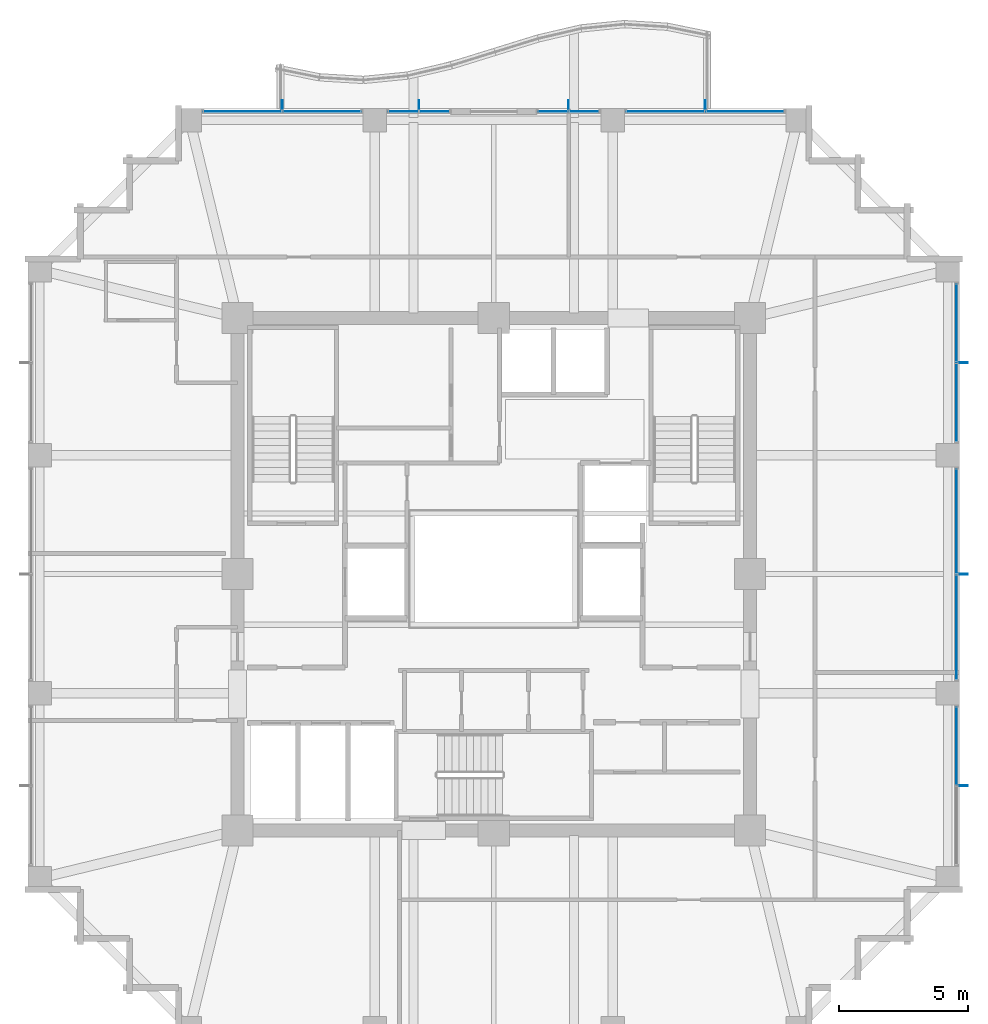
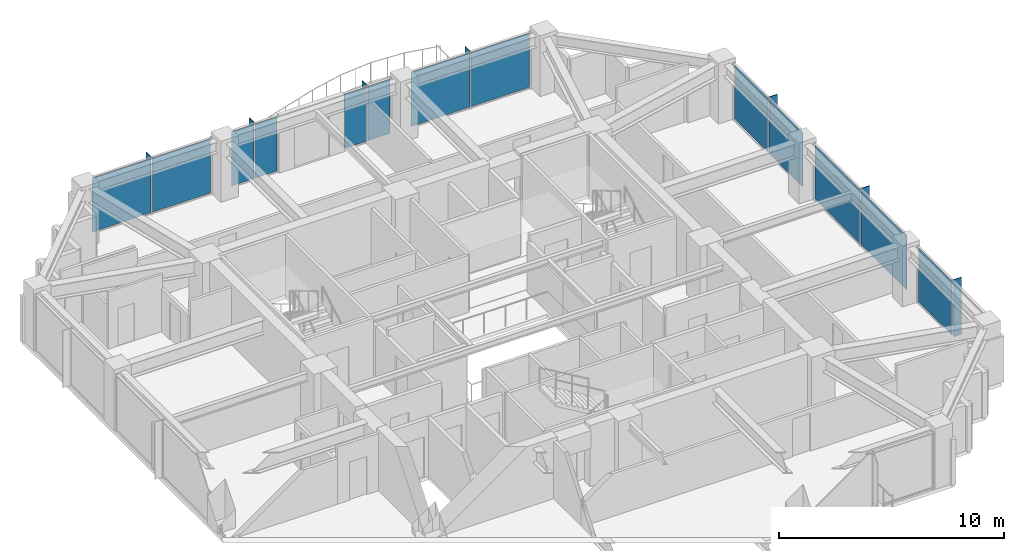
# One storey, part 25 of 31: 20 plates, 7 elements without a shape of their own.
"""IFC4 building model written with IfcOpenShell, lengths in metres."""

from ifc_helpers import new_model, si_unit, direction, frame, origin, origin_2d, place, context, subcontext, project, spatial, rectangle, extrude, material, layer, layer_set, type_object, element, aggregate, save


model = new_model("IFC4")

# Units and contexts
model_context = context("Model", 3, precision=1e-05, world=origin(), true_north=direction((0.0, 1.0)))
body_context = subcontext(model_context, "Body", "Model", "MODEL_VIEW")
ifc_project = project(units=[si_unit("LENGTHUNIT", "METRE"), si_unit("AREAUNIT", "SQUARE_METRE"), si_unit("VOLUMEUNIT", "CUBIC_METRE"), si_unit("PLANEANGLEUNIT", "RADIAN"), si_unit("MASSUNIT", "GRAM", prefix="KILO")], contexts=[model_context])

# Site, building, storey
site_placement = place(None, origin())
site = spatial("IfcSite", under=ifc_project, at=site_placement, CompositionType="ELEMENT")
building_placement = place(site_placement, origin())
building = spatial("IfcBuilding", under=site, at=building_placement, Name="Kolvaren Belvedere", CompositionType="ELEMENT")
storey_placement = place(building_placement, frame((0.0, 0.0, 138.199951171875)))
storey = spatial("IfcBuildingStorey", under=building, at=storey_placement, Name="L40", CompositionType="ELEMENT", Elevation=138.199951171875)

# Curtain wall, plates
ifc_material_1 = material(Name="Anodised pale-metal aluminium AA 6063-T6", Category="aluminium")
curtain_wall_type = type_object("IfcCurtainWallType", Name="CW-Z3-WAIST", PredefinedType="NOTDEFINED", material=ifc_material_1)
curtain_wall_1_placement = place(storey_placement, origin())
curtain_wall_1 = element("IfcCurtainWall", 1, at=curtain_wall_1_placement, inside=storey, type_object=curtain_wall_type, Name="L40 Unitised Curtain Wall FCW-L40-E-B1", PredefinedType="NOTDEFINED")
ifc_material_2 = material(Name="Low-iron triple insulated glass", Category="glass")
ifc_layer_1 = layer(ifc_material_2, 0.028076171875)
ifc_layer_set_1 = layer_set([ifc_layer_1], Name="Low-iron triple insulated glass")
plate_type_1 = type_object("IfcPlateType", Name="CW-PNL-VIS28", PredefinedType="CURTAIN_PANEL", material=ifc_layer_set_1)
plate_1_placement = place(storey_placement, frame((17.8798828125, 9.711181640625, 0.080078125), z_axis=(0.0, 0.0, 1.0), x_axis=(0.0, -1.0, 0.0)))
plate_1 = element("IfcPlate", 2, at=plate_1_placement, type_object=plate_type_1, Name="FCW-L40-E-B1 Vision Glazing Panel 1", PredefinedType="CURTAIN_PANEL", context=body_context, shape_type="SweptSolid", body=[
    extrude(rectangle(XDim=2.992431640625, YDim=0.028076171875, at=origin_2d()), origin(), (0.0, 0.0, 1.0), 2.93994140625),
])
plate_2_placement = place(storey_placement, frame((17.8798828125, 6.638671875, 0.080078125), z_axis=(0.0, 0.0, 1.0), x_axis=(0.0, -1.0, 0.0)))
plate_2 = element("IfcPlate", 3, at=plate_2_placement, type_object=plate_type_1, Name="FCW-L40-E-B1 Vision Glazing Panel 2", PredefinedType="CURTAIN_PANEL", context=body_context, shape_type="SweptSolid", body=[
    extrude(rectangle(XDim=2.992431640625, YDim=0.028076171875, at=origin_2d()), origin(), (0.0, 0.0, 1.0), 2.93994140625),
])
aggregate(curtain_wall_1, [plate_1, plate_2])

curtain_wall_2_placement = place(storey_placement, origin())
curtain_wall_2 = element("IfcCurtainWall", 4, at=curtain_wall_2_placement, inside=storey, type_object=curtain_wall_type, Name="L40 Unitised Curtain Wall FCW-L40-E-B2", PredefinedType="NOTDEFINED")
plate_3_placement = place(storey_placement, frame((17.8798828125, 2.048828125, 0.080078125), z_axis=(0.0, 0.0, 1.0), x_axis=(0.0, -1.0, 0.0)))
plate_3 = element("IfcPlate", 5, at=plate_3_placement, type_object=plate_type_1, Name="FCW-L40-E-B2 Vision Glazing Panel 1", PredefinedType="CURTAIN_PANEL", context=body_context, shape_type="SweptSolid", body=[
    extrude(rectangle(XDim=4.017578125, YDim=0.028076171875, at=origin_2d()), origin(), (0.0, 0.0, 1.0), 2.93994140625),
])
plate_4_placement = place(storey_placement, frame((17.8798828125, -2.048828125, 0.080078125), z_axis=(0.0, 0.0, 1.0), x_axis=(0.0, -1.0, 0.0)))
plate_4 = element("IfcPlate", 6, at=plate_4_placement, type_object=plate_type_1, Name="FCW-L40-E-B2 Vision Glazing Panel 2", PredefinedType="CURTAIN_PANEL", context=body_context, shape_type="SweptSolid", body=[
    extrude(rectangle(XDim=4.017578125, YDim=0.028076171875, at=origin_2d()), origin(), (0.0, 0.0, 1.0), 2.93994140625),
])
aggregate(curtain_wall_2, [plate_3, plate_4])

# Curtain wall, plate
curtain_wall_3_placement = place(storey_placement, origin())
curtain_wall_3 = element("IfcCurtainWall", 7, at=curtain_wall_3_placement, inside=storey, type_object=curtain_wall_type, Name="L40 Unitised Curtain Wall FCW-L40-E-B3", PredefinedType="NOTDEFINED")
plate_5_placement = place(storey_placement, frame((17.8798828125, -6.638671875, 0.080078125), z_axis=(0.0, 0.0, 1.0), x_axis=(0.0, -1.0, 0.0)))
plate_5 = element("IfcPlate", 8, at=plate_5_placement, type_object=plate_type_1, Name="FCW-L40-E-B3 Vision Glazing Panel 1", PredefinedType="CURTAIN_PANEL", context=body_context, shape_type="SweptSolid", body=[
    extrude(rectangle(XDim=2.992431640625, YDim=0.028076171875, at=origin_2d()), origin(), (0.0, 0.0, 1.0), 2.93994140625),
])
aggregate(curtain_wall_3, [plate_5])

# Curtain wall, plates
curtain_wall_4_placement = place(storey_placement, origin())
curtain_wall_4 = element("IfcCurtainWall", 9, at=curtain_wall_4_placement, inside=storey, type_object=curtain_wall_type, Name="L40 Unitised Curtain Wall FCW-L40-N1-B1", PredefinedType="NOTDEFINED")
plate_6_placement = place(storey_placement, frame((-9.711181640625, 17.8798828125, 0.080078125), z_axis=(0.0, 0.0, 1.0), x_axis=(1.0, 0.0, 0.0)))
plate_6 = element("IfcPlate", 10, at=plate_6_placement, type_object=plate_type_1, Name="FCW-L40-N1-B1 Vision Glazing Panel 1", PredefinedType="CURTAIN_PANEL", context=body_context, shape_type="SweptSolid", body=[
    extrude(rectangle(XDim=2.992431640625, YDim=0.028076171875, at=origin_2d()), origin(), (0.0, 0.0, 1.0), 2.93994140625),
])
plate_7_placement = place(storey_placement, frame((-6.638671875, 17.8798828125, 0.080078125), z_axis=(0.0, 0.0, 1.0), x_axis=(1.0, 0.0, 0.0)))
plate_7 = element("IfcPlate", 11, at=plate_7_placement, type_object=plate_type_1, Name="FCW-L40-N1-B1 Vision Glazing Panel 2", PredefinedType="CURTAIN_PANEL", context=body_context, shape_type="SweptSolid", body=[
    extrude(rectangle(XDim=2.992431640625, YDim=0.028076171875, at=origin_2d()), origin(), (0.0, 0.0, 1.0), 2.93994140625),
])
aggregate(curtain_wall_4, [plate_6, plate_7])

curtain_wall_5_placement = place(storey_placement, origin())
curtain_wall_5 = element("IfcCurtainWall", 12, at=curtain_wall_5_placement, inside=storey, type_object=curtain_wall_type, Name="L40 Unitised Curtain Wall FCW-L40-N1-B2", PredefinedType="NOTDEFINED")
plate_8_placement = place(storey_placement, frame((-3.4931640625, 17.8798828125, 0.080078125), z_axis=(0.0, 0.0, 1.0), x_axis=(1.0, 0.0, 0.0)))
plate_8 = element("IfcPlate", 13, at=plate_8_placement, type_object=plate_type_1, Name="FCW-L40-N1-B2 Vision Glazing Panel 1", PredefinedType="CURTAIN_PANEL", context=body_context, shape_type="SweptSolid", body=[
    extrude(rectangle(XDim=1.12890625, YDim=0.028076171875, at=origin_2d()), origin(), (0.0, 0.0, 1.0), 2.93994140625),
])
plate_9_placement = place(storey_placement, frame((-2.284423828125, 17.8798828125, 0.080078125), z_axis=(0.0, 0.0, 1.0), x_axis=(1.0, 0.0, 0.0)))
plate_9 = element("IfcPlate", 14, at=plate_9_placement, type_object=plate_type_1, Name="FCW-L40-N1-B2 Vision Glazing Panel 2", PredefinedType="CURTAIN_PANEL", context=body_context, shape_type="SweptSolid", body=[
    extrude(rectangle(XDim=1.12890625, YDim=0.028076171875, at=origin_2d()), origin(), (0.0, 0.0, 1.0), 2.93994140625),
])
aggregate(curtain_wall_5, [plate_8, plate_9])

curtain_wall_6_placement = place(storey_placement, origin())
curtain_wall_6 = element("IfcCurtainWall", 15, at=curtain_wall_6_placement, inside=storey, type_object=curtain_wall_type, Name="L40 Unitised Curtain Wall FCW-L40-N2-B1", PredefinedType="NOTDEFINED")
plate_10_placement = place(storey_placement, frame((2.284423828125, 17.8798828125, 0.080078125), z_axis=(0.0, 0.0, 1.0), x_axis=(1.0, 0.0, 0.0)))
plate_10 = element("IfcPlate", 16, at=plate_10_placement, type_object=plate_type_1, Name="FCW-L40-N2-B1 Vision Glazing Panel 1", PredefinedType="CURTAIN_PANEL", context=body_context, shape_type="SweptSolid", body=[
    extrude(rectangle(XDim=1.12890625, YDim=0.028076171875, at=origin_2d()), origin(), (0.0, 0.0, 1.0), 2.93994140625),
])
plate_11_placement = place(storey_placement, frame((3.4931640625, 17.8798828125, 0.080078125), z_axis=(0.0, 0.0, 1.0), x_axis=(1.0, 0.0, 0.0)))
plate_11 = element("IfcPlate", 17, at=plate_11_placement, type_object=plate_type_1, Name="FCW-L40-N2-B1 Vision Glazing Panel 2", PredefinedType="CURTAIN_PANEL", context=body_context, shape_type="SweptSolid", body=[
    extrude(rectangle(XDim=1.12890625, YDim=0.028076171875, at=origin_2d()), origin(), (0.0, 0.0, 1.0), 2.93994140625),
])
aggregate(curtain_wall_6, [plate_10, plate_11])

curtain_wall_7_placement = place(storey_placement, origin())
curtain_wall_7 = element("IfcCurtainWall", 18, at=curtain_wall_7_placement, inside=storey, type_object=curtain_wall_type, Name="L40 Unitised Curtain Wall FCW-L40-N2-B2", PredefinedType="NOTDEFINED")
plate_12_placement = place(storey_placement, frame((6.638671875, 17.8798828125, 0.080078125), z_axis=(0.0, 0.0, 1.0), x_axis=(1.0, 0.0, 0.0)))
plate_12 = element("IfcPlate", 19, at=plate_12_placement, type_object=plate_type_1, Name="FCW-L40-N2-B2 Vision Glazing Panel 1", PredefinedType="CURTAIN_PANEL", context=body_context, shape_type="SweptSolid", body=[
    extrude(rectangle(XDim=2.992431640625, YDim=0.028076171875, at=origin_2d()), origin(), (0.0, 0.0, 1.0), 2.93994140625),
])
plate_13_placement = place(storey_placement, frame((9.711181640625, 17.8798828125, 0.080078125), z_axis=(0.0, 0.0, 1.0), x_axis=(1.0, 0.0, 0.0)))
plate_13 = element("IfcPlate", 20, at=plate_13_placement, type_object=plate_type_1, Name="FCW-L40-N2-B2 Vision Glazing Panel 2", PredefinedType="CURTAIN_PANEL", context=body_context, shape_type="SweptSolid", body=[
    extrude(rectangle(XDim=2.992431640625, YDim=0.028076171875, at=origin_2d()), origin(), (0.0, 0.0, 1.0), 2.93994140625),
])
aggregate(curtain_wall_7, [plate_12, plate_13])

# Plates
ifc_material_3 = material(Name="Anodised pale-metal aluminium AA 6063-T6", Category="aluminium")
ifc_layer_2 = layer(ifc_material_3, 0.033935546875)
ifc_layer_set_2 = layer_set([ifc_layer_2], Name="Anodised pale-metal aluminium AA 6063-T6")
plate_type_2 = type_object("IfcPlateType", Name="FIN-VERT-380", PredefinedType="USERDEFINED", material=ifc_layer_set_2)
for number, where, z_axis, x_axis, name in (
    (21, (18.1201171875, 8.175048828125, 0.0), (0.0, 0.0, 1.0), (1.0, 0.0, 0.0), "L40 Pale-Metal Vertical Shading Fin FCW-L40-E-B1-1"),
    (22, (18.1201171875, 0.0, 0.0), (0.0, 0.0, 1.0), (1.0, 0.0, 0.0), "L40 Pale-Metal Vertical Shading Fin FCW-L40-E-B2-1"),
    (23, (18.1201171875, -8.175048828125, 0.0), (0.0, 0.0, 1.0), (1.0, 0.0, 0.0), "L40 Pale-Metal Vertical Shading Fin FCW-L40-E-B3-1"),
    (24, (-8.175048828125, 18.1201171875, 0.0), (0.0, 0.0, 1.0), (0.0, 1.0, 0.0), "L40 Pale-Metal Vertical Shading Fin FCW-L40-N1-B1-1"),
    (25, (-2.888671875, 18.1201171875, 0.0), (0.0, 0.0, 1.0), (0.0, 1.0, 0.0), "L40 Pale-Metal Vertical Shading Fin FCW-L40-N1-B2-1"),
    (26, (2.888671875, 18.1201171875, 0.0), (0.0, 0.0, 1.0), (0.0, 1.0, 0.0), "L40 Pale-Metal Vertical Shading Fin FCW-L40-N2-B1-1"),
    (27, (8.175048828125, 18.1201171875, 0.0), (0.0, 0.0, 1.0), (0.0, 1.0, 0.0), "L40 Pale-Metal Vertical Shading Fin FCW-L40-N2-B2-1"),
):
    element("IfcPlate", number, at=place(storey_placement, frame(where, z_axis=z_axis, x_axis=x_axis)), inside=storey, type_object=plate_type_2, Name=name, ObjectType="VERTICAL FIN", PredefinedType="USERDEFINED", context=body_context, shape_type="SweptSolid", body=[
        extrude(rectangle(XDim=0.3798828125, YDim=0.033935546875, at=origin_2d()), origin(), (0.0, 0.0, 1.0), 3.10009765625),
    ])

save(model, "model.ifc")
